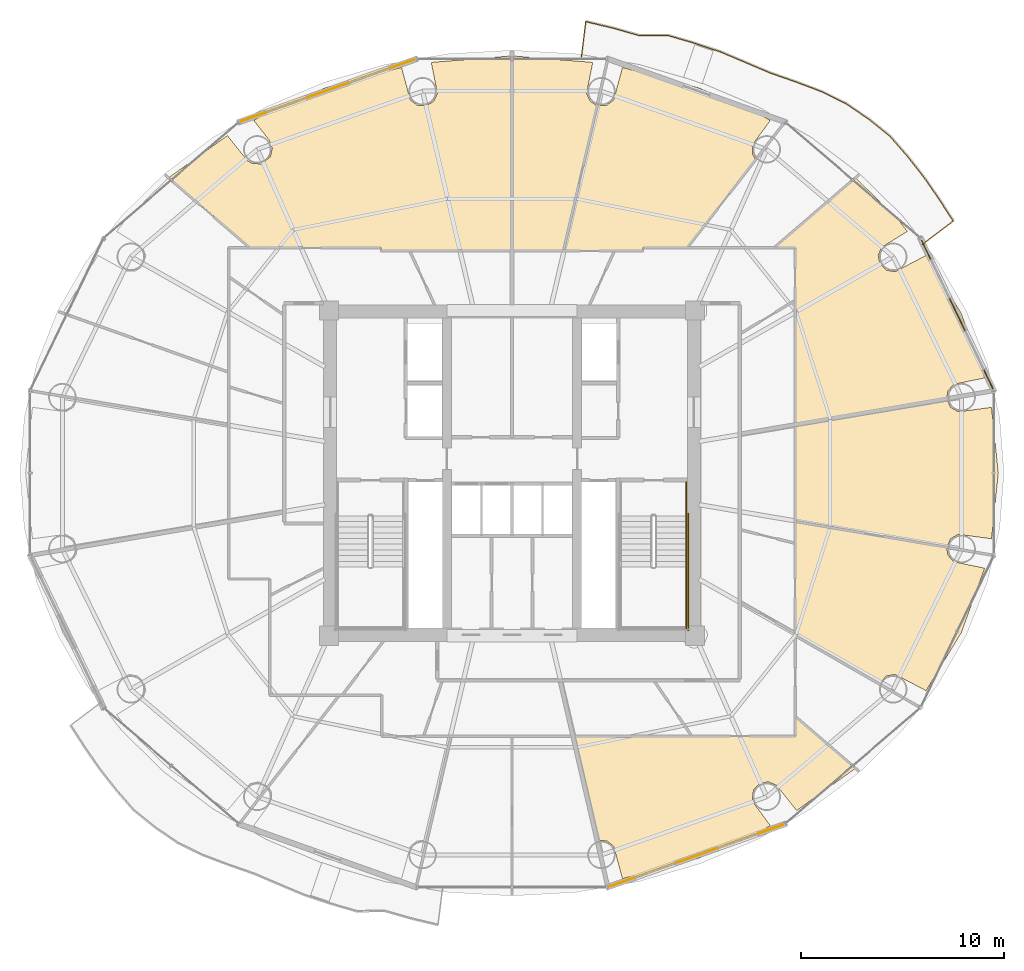
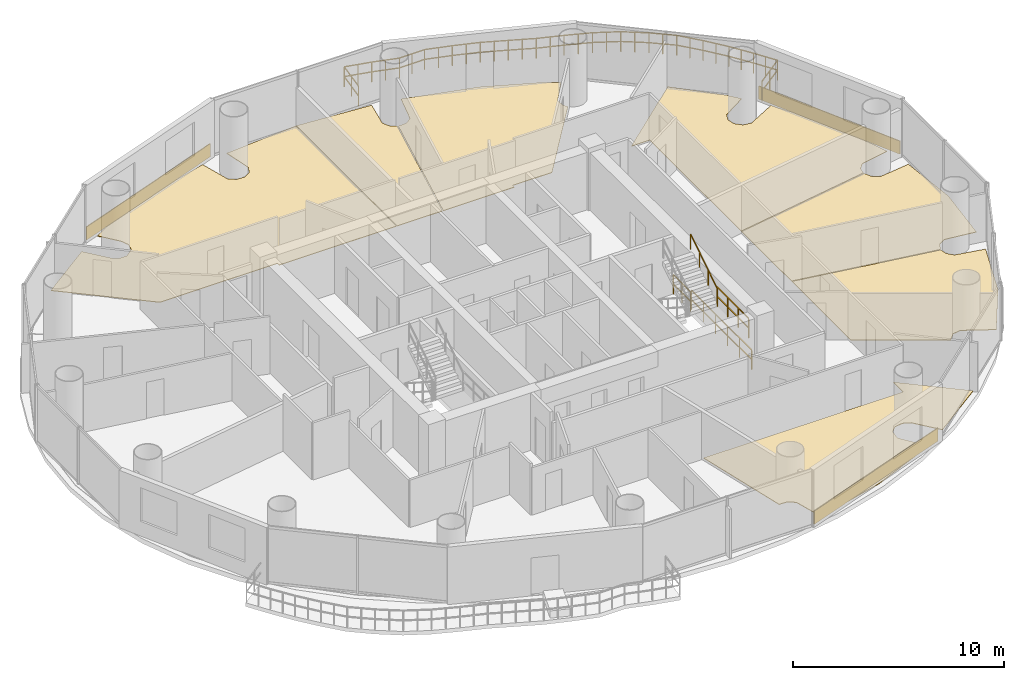
# One storey, part 26 of 26: 10 coverings, 5 railings.
"""IFC4 building model written with IfcOpenShell, lengths in metres."""

from ifc_helpers import new_model, si_unit, direction, frame, origin, origin_2d, place, context, subcontext, project, spatial, polyline, rectangle, outline, extrude, source, transform, mapped, material, layer, layer_set, type_object, element, save


model = new_model("IFC4")

# Units and contexts
model_context = context("Model", 3, precision=1e-05, world=origin(), true_north=direction((-0.2419218956, 0.970295726276)))
body_context = subcontext(model_context, "Body", "Model", "MODEL_VIEW")
ifc_project = project(units=[si_unit("LENGTHUNIT", "METRE"), si_unit("AREAUNIT", "SQUARE_METRE"), si_unit("VOLUMEUNIT", "CUBIC_METRE"), si_unit("PLANEANGLEUNIT", "RADIAN"), si_unit("MASSUNIT", "GRAM", prefix="KILO")], contexts=[model_context])

# Site, building, storey
site_placement = place(None, origin())
site = spatial("IfcSite", under=ifc_project, at=site_placement, CompositionType="ELEMENT")
building_placement = place(site_placement, origin())
building = spatial("IfcBuilding", under=site, at=building_placement, Name="Cobrevalo Terracotta Tower", CompositionType="ELEMENT")
storey_placement = place(building_placement, frame((0.0, 0.0, 135.39990234375)))
storey = spatial("IfcBuildingStorey", under=building, at=storey_placement, Name="L35", CompositionType="ELEMENT", Elevation=135.39990234375)

# Railing
ifc_material_1 = material(Name="Laminated structural glass and stainless steel", Category="steel")
railing_type_1 = type_object("IfcRailingType", Name="Balcony lobe structural glass & terracotta-cap balustrade 1180 mm", PredefinedType="BALUSTRADE", material=ifc_material_1)
railing_1_placement = place(storey_placement, frame((58.187255859375, 38.0458984375, 0.0)))
element("IfcRailing", 1, at=railing_1_placement, inside=storey, type_object=railing_type_1, Name="L35 spiralling balcony lobe balustrade 1", PredefinedType="BALUSTRADE", context=body_context, shape_type="SweptSolid", body=[
    extrude(rectangle(XDim=0.048095703125, YDim=0.048095703125, at=origin_2d()), frame((0.0, 0.0, 1.15576171875), z_axis=(0.798594650089, 0.601869242319, 0.0), x_axis=(-0.601869242319, 0.798594650089, 0.0)), (0.0, 0.0, 1.0), 1.89990234375),
    extrude(rectangle(XDim=0.048095703125, YDim=0.048095703125, at=origin_2d()), frame((0.0, 0.0, 0.58984375), z_axis=(0.798594650089, 0.601869242319, 0.0), x_axis=(-0.601869242319, 0.798594650089, 0.0)), (0.0, 0.0, 1.0), 1.89990234375),
    extrude(rectangle(XDim=0.048095703125, YDim=0.048095703125, at=origin_2d()), frame((1.517333984375, 1.1435546875, 1.15576171875), z_axis=(-0.541365481873, 0.840787378019, 0.0), x_axis=(-0.840787378019, -0.541365481873, 0.0)), (0.0, 0.0, 1.0), 1.278564453125),
    extrude(rectangle(XDim=0.048095703125, YDim=0.048095703125, at=origin_2d()), frame((1.517333984375, 1.1435546875, 0.58984375), z_axis=(-0.541365481873, 0.840787378019, 0.0), x_axis=(-0.840787378019, -0.541365481873, 0.0)), (0.0, 0.0, 1.0), 1.278564453125),
    extrude(rectangle(XDim=0.048095703125, YDim=0.048095703125, at=origin_2d()), frame((0.8251953125, 2.218505859375, 1.15576171875), z_axis=(-0.568524539643, 0.822666304053, 0.0), x_axis=(-0.822666304053, -0.568524539643, 0.0)), (0.0, 0.0, 1.0), 1.296875),
    extrude(rectangle(XDim=0.048095703125, YDim=0.048095703125, at=origin_2d()), frame((0.8251953125, 2.218505859375, 0.58984375), z_axis=(-0.568524539643, 0.822666304053, 0.0), x_axis=(-0.822666304053, -0.568524539643, 0.0)), (0.0, 0.0, 1.0), 1.296875),
    extrude(rectangle(XDim=0.048095703125, YDim=0.048095703125, at=origin_2d()), frame((0.087890625, 3.285400390625, 1.15576171875), z_axis=(-0.617117437076, 0.786871062409, 0.0), x_axis=(-0.786871062409, -0.617117437076, 0.0)), (0.0, 0.0, 1.0), 1.3173828125),
    extrude(rectangle(XDim=0.048095703125, YDim=0.048095703125, at=origin_2d()), frame((0.087890625, 3.285400390625, 0.58984375), z_axis=(-0.617117437076, 0.786871062409, 0.0), x_axis=(-0.786871062409, -0.617117437076, 0.0)), (0.0, 0.0, 1.0), 1.3173828125),
    extrude(rectangle(XDim=0.048095703125, YDim=0.048095703125, at=origin_2d()), frame((-0.72509765625, 4.322021484375, 1.15576171875), z_axis=(-0.655758581465, 0.754970650314, 0.0), x_axis=(-0.754970650314, -0.655758581465, 0.0)), (0.0, 0.0, 1.0), 1.323974609375),
    extrude(rectangle(XDim=0.048095703125, YDim=0.048095703125, at=origin_2d()), frame((-0.72509765625, 4.322021484375, 0.58984375), z_axis=(-0.655758581465, 0.754970650314, 0.0), x_axis=(-0.754970650314, -0.655758581465, 0.0)), (0.0, 0.0, 1.0), 1.323974609375),
    extrude(rectangle(XDim=0.048095703125, YDim=0.048095703125, at=origin_2d()), frame((-1.59326171875, 5.321533203125, 1.15576171875), z_axis=(-0.779372178767, 0.626561255556, 0.0), x_axis=(-0.626561255556, -0.779372178767, 0.0)), (0.0, 0.0, 1.0), 1.3388671875),
    extrude(rectangle(XDim=0.048095703125, YDim=0.048095703125, at=origin_2d()), frame((-1.59326171875, 5.321533203125, 0.58984375), z_axis=(-0.779372178767, 0.626561255556, 0.0), x_axis=(-0.626561255556, -0.779372178767, 0.0)), (0.0, 0.0, 1.0), 1.3388671875),
    extrude(rectangle(XDim=0.048095703125, YDim=0.048095703125, at=origin_2d()), frame((-2.63671875, 6.160400390625, 1.15576171875), z_axis=(-0.825620548878, 0.564225760907, 0.0), x_axis=(-0.564225760907, -0.825620548878, 0.0)), (0.0, 0.0, 1.0), 1.33740234375),
    extrude(rectangle(XDim=0.048095703125, YDim=0.048095703125, at=origin_2d()), frame((-2.63671875, 6.160400390625, 0.58984375), z_axis=(-0.825620548878, 0.564225760907, 0.0), x_axis=(-0.564225760907, -0.825620548878, 0.0)), (0.0, 0.0, 1.0), 1.33740234375),
    extrude(rectangle(XDim=0.048095703125, YDim=0.048095703125, at=origin_2d()), frame((-3.740966796875, 6.9150390625, 1.15576171875), z_axis=(-0.896585828938, 0.44287001631, 0.0), x_axis=(-0.44287001631, -0.896585828938, 0.0)), (0.0, 0.0, 1.0), 1.3505859375),
    extrude(rectangle(XDim=0.048095703125, YDim=0.048095703125, at=origin_2d()), frame((-3.740966796875, 6.9150390625, 0.58984375), z_axis=(-0.896585828938, 0.44287001631, 0.0), x_axis=(-0.44287001631, -0.896585828938, 0.0)), (0.0, 0.0, 1.0), 1.3505859375),
    extrude(rectangle(XDim=0.048095703125, YDim=0.048095703125, at=origin_2d()), frame((-4.951904296875, 7.51318359375, 1.15576171875), z_axis=(-0.935284651234, 0.353896342404, 0.0), x_axis=(-0.353896342404, -0.935284651234, 0.0)), (0.0, 0.0, 1.0), 1.359619140625),
    extrude(rectangle(XDim=0.048095703125, YDim=0.048095703125, at=origin_2d()), frame((-4.951904296875, 7.51318359375, 0.58984375), z_axis=(-0.935284651234, 0.353896342404, 0.0), x_axis=(-0.353896342404, -0.935284651234, 0.0)), (0.0, 0.0, 1.0), 1.359619140625),
    extrude(rectangle(XDim=0.048095703125, YDim=0.048095703125, at=origin_2d()), frame((-6.2236328125, 7.994384765625, 1.15576171875), z_axis=(-0.944347221027, 0.328950339927, 0.0), x_axis=(-0.328950339927, -0.944347221027, 0.0)), (0.0, 0.0, 1.0), 1.343994140625),
    extrude(rectangle(XDim=0.048095703125, YDim=0.048095703125, at=origin_2d()), frame((-6.2236328125, 7.994384765625, 0.58984375), z_axis=(-0.944347221027, 0.328950339927, 0.0), x_axis=(-0.328950339927, -0.944347221027, 0.0)), (0.0, 0.0, 1.0), 1.343994140625),
    extrude(rectangle(XDim=0.048095703125, YDim=0.048095703125, at=origin_2d()), frame((-7.492919921875, 8.4365234375, 1.15576171875), z_axis=(-0.920149056217, 0.391568275456, 0.0), x_axis=(-0.391568275456, -0.920149056217, 0.0)), (0.0, 0.0, 1.0), 1.341796875),
    extrude(rectangle(XDim=0.048095703125, YDim=0.048095703125, at=origin_2d()), frame((-7.492919921875, 8.4365234375, 0.58984375), z_axis=(-0.920149056217, 0.391568275456, 0.0), x_axis=(-0.391568275456, -0.920149056217, 0.0)), (0.0, 0.0, 1.0), 1.341796875),
    extrude(rectangle(XDim=0.048095703125, YDim=0.048095703125, at=origin_2d()), frame((-8.7275390625, 8.9619140625, 1.15576171875), z_axis=(-0.921408990229, 0.388594226314, 0.0), x_axis=(-0.388594226314, -0.921408990229, 0.0)), (0.0, 0.0, 1.0), 1.3408203125),
    extrude(rectangle(XDim=0.048095703125, YDim=0.048095703125, at=origin_2d()), frame((-8.7275390625, 8.9619140625, 0.58984375), z_axis=(-0.921408990229, 0.388594226314, 0.0), x_axis=(-0.388594226314, -0.921408990229, 0.0)), (0.0, 0.0, 1.0), 1.3408203125),
    extrude(rectangle(XDim=0.048095703125, YDim=0.048095703125, at=origin_2d()), frame((-9.962890625, 9.48291015625, 1.15576171875), z_axis=(-0.949296870619, 0.31438106087, 0.0), x_axis=(-0.31438106087, -0.949296870619, 0.0)), (0.0, 0.0, 1.0), 1.348876953125),
    extrude(rectangle(XDim=0.048095703125, YDim=0.048095703125, at=origin_2d()), frame((-9.962890625, 9.48291015625, 0.58984375), z_axis=(-0.949296870619, 0.31438106087, 0.0), x_axis=(-0.31438106087, -0.949296870619, 0.0)), (0.0, 0.0, 1.0), 1.348876953125),
    extrude(rectangle(XDim=0.048095703125, YDim=0.048095703125, at=origin_2d()), frame((-11.243408203125, 9.906982421875, 1.15576171875), z_axis=(-0.960034306764, 0.279882349991, 0.0), x_axis=(-0.279882349991, -0.960034306764, 0.0)), (0.0, 0.0, 1.0), 1.354736328125),
    extrude(rectangle(XDim=0.048095703125, YDim=0.048095703125, at=origin_2d()), frame((-11.243408203125, 9.906982421875, 0.58984375), z_axis=(-0.960034306764, 0.279882349991, 0.0), x_axis=(-0.279882349991, -0.960034306764, 0.0)), (0.0, 0.0, 1.0), 1.354736328125),
    extrude(rectangle(XDim=0.048095703125, YDim=0.048095703125, at=origin_2d()), frame((-12.5439453125, 10.2861328125, 1.15576171875), z_axis=(-0.999961366356, -0.008790096399, 0.0), x_axis=(0.008790096399, -0.999961366356, 0.0)), (0.0, 0.0, 1.0), 1.388671875),
    extrude(rectangle(XDim=0.048095703125, YDim=0.048095703125, at=origin_2d()), frame((-12.5439453125, 10.2861328125, 0.58984375), z_axis=(-0.999961366356, -0.008790096399, 0.0), x_axis=(0.008790096399, -0.999961366356, 0.0)), (0.0, 0.0, 1.0), 1.388671875),
    extrude(rectangle(XDim=0.048095703125, YDim=0.048095703125, at=origin_2d()), frame((-13.9326171875, 10.27392578125, 1.15576171875), z_axis=(-0.961652958864, 0.274269186582, 0.0), x_axis=(-0.274269186582, -0.961652958864, 0.0)), (0.0, 0.0, 1.0), 1.355712890625),
    extrude(rectangle(XDim=0.048095703125, YDim=0.048095703125, at=origin_2d()), frame((-13.9326171875, 10.27392578125, 0.58984375), z_axis=(-0.961652958864, 0.274269186582, 0.0), x_axis=(-0.274269186582, -0.961652958864, 0.0)), (0.0, 0.0, 1.0), 1.355712890625),
    extrude(rectangle(XDim=0.048095703125, YDim=0.048095703125, at=origin_2d()), frame((-15.236328125, 10.645751953125, 1.15576171875), z_axis=(-0.973015656678, 0.230739099113, 0.0), x_axis=(-0.230739099113, -0.973015656678, 0.0)), (0.0, 0.0, 1.0), 1.360595703125),
    extrude(rectangle(XDim=0.048095703125, YDim=0.048095703125, at=origin_2d()), frame((-15.236328125, 10.645751953125, 0.58984375), z_axis=(-0.973015656678, 0.230739099113, 0.0), x_axis=(-0.230739099113, -0.973015656678, 0.0)), (0.0, 0.0, 1.0), 1.360595703125),
    extrude(rectangle(XDim=0.048095703125, YDim=0.048095703125, at=origin_2d()), frame((-16.560302734375, 10.959716796875, 1.15576171875), z_axis=(-0.122368851254, -0.992484692196, 0.0), x_axis=(0.992484692196, -0.122368851254, 0.0)), (0.0, 0.0, 1.0), 1.731689453125),
    extrude(rectangle(XDim=0.048095703125, YDim=0.048095703125, at=origin_2d()), frame((-16.560302734375, 10.959716796875, 0.58984375), z_axis=(-0.122368851254, -0.992484692196, 0.0), x_axis=(0.992484692196, -0.122368851254, 0.0)), (0.0, 0.0, 1.0), 1.731689453125),
    extrude(rectangle(XDim=0.0419921875, YDim=0.0419921875, at=origin_2d()), origin(), (0.0, 0.0, 1.0), 1.1318359375),
    extrude(rectangle(XDim=0.0419921875, YDim=0.0419921875, at=origin_2d()), frame((0.7587890625, 0.57177734375, 0.0)), (0.0, 0.0, 1.0), 1.1318359375),
    extrude(rectangle(XDim=0.0419921875, YDim=0.0419921875, at=origin_2d()), frame((1.517333984375, 1.1435546875, 0.0)), (0.0, 0.0, 1.0), 1.1318359375),
    extrude(rectangle(XDim=0.0419921875, YDim=0.0419921875, at=origin_2d()), frame((1.17138671875, 1.68115234375, 0.0)), (0.0, 0.0, 1.0), 1.1318359375),
    extrude(rectangle(XDim=0.0419921875, YDim=0.0419921875, at=origin_2d()), frame((0.8251953125, 2.218505859375, 0.0)), (0.0, 0.0, 1.0), 1.1318359375),
    extrude(rectangle(XDim=0.0419921875, YDim=0.0419921875, at=origin_2d()), frame((0.45654296875, 2.751953125, 0.0)), (0.0, 0.0, 1.0), 1.1318359375),
    extrude(rectangle(XDim=0.0419921875, YDim=0.0419921875, at=origin_2d()), frame((0.087890625, 3.285400390625, 0.0)), (0.0, 0.0, 1.0), 1.1318359375),
    extrude(rectangle(XDim=0.0419921875, YDim=0.0419921875, at=origin_2d()), frame((-0.318603515625, 3.8037109375, 0.0)), (0.0, 0.0, 1.0), 1.1318359375),
    extrude(rectangle(XDim=0.0419921875, YDim=0.0419921875, at=origin_2d()), frame((-0.72509765625, 4.322021484375, 0.0)), (0.0, 0.0, 1.0), 1.1318359375),
    extrude(rectangle(XDim=0.0419921875, YDim=0.0419921875, at=origin_2d()), frame((-1.1591796875, 4.82177734375, 0.0)), (0.0, 0.0, 1.0), 1.1318359375),
    extrude(rectangle(XDim=0.0419921875, YDim=0.0419921875, at=origin_2d()), frame((-1.59326171875, 5.321533203125, 0.0)), (0.0, 0.0, 1.0), 1.1318359375),
    extrude(rectangle(XDim=0.0419921875, YDim=0.0419921875, at=origin_2d()), frame((-2.114990234375, 5.740966796875, 0.0)), (0.0, 0.0, 1.0), 1.1318359375),
    extrude(rectangle(XDim=0.0419921875, YDim=0.0419921875, at=origin_2d()), frame((-2.63671875, 6.160400390625, 0.0)), (0.0, 0.0, 1.0), 1.1318359375),
    extrude(rectangle(XDim=0.0419921875, YDim=0.0419921875, at=origin_2d()), frame((-3.18896484375, 6.53759765625, 0.0)), (0.0, 0.0, 1.0), 1.1318359375),
    extrude(rectangle(XDim=0.0419921875, YDim=0.0419921875, at=origin_2d()), frame((-3.740966796875, 6.9150390625, 0.0)), (0.0, 0.0, 1.0), 1.1318359375),
    extrude(rectangle(XDim=0.0419921875, YDim=0.0419921875, at=origin_2d()), frame((-4.346435546875, 7.214111328125, 0.0)), (0.0, 0.0, 1.0), 1.1318359375),
    extrude(rectangle(XDim=0.0419921875, YDim=0.0419921875, at=origin_2d()), frame((-4.951904296875, 7.51318359375, 0.0)), (0.0, 0.0, 1.0), 1.1318359375),
    extrude(rectangle(XDim=0.0419921875, YDim=0.0419921875, at=origin_2d()), frame((-5.587890625, 7.75390625, 0.0)), (0.0, 0.0, 1.0), 1.1318359375),
    extrude(rectangle(XDim=0.0419921875, YDim=0.0419921875, at=origin_2d()), frame((-6.2236328125, 7.994384765625, 0.0)), (0.0, 0.0, 1.0), 1.1318359375),
    extrude(rectangle(XDim=0.0419921875, YDim=0.0419921875, at=origin_2d()), frame((-6.8583984375, 8.21533203125, 0.0)), (0.0, 0.0, 1.0), 1.1318359375),
    extrude(rectangle(XDim=0.0419921875, YDim=0.0419921875, at=origin_2d()), frame((-7.492919921875, 8.4365234375, 0.0)), (0.0, 0.0, 1.0), 1.1318359375),
    extrude(rectangle(XDim=0.0419921875, YDim=0.0419921875, at=origin_2d()), frame((-8.1103515625, 8.69921875, 0.0)), (0.0, 0.0, 1.0), 1.1318359375),
    extrude(rectangle(XDim=0.0419921875, YDim=0.0419921875, at=origin_2d()), frame((-8.7275390625, 8.9619140625, 0.0)), (0.0, 0.0, 1.0), 1.1318359375),
    extrude(rectangle(XDim=0.0419921875, YDim=0.0419921875, at=origin_2d()), frame((-9.34521484375, 9.222412109375, 0.0)), (0.0, 0.0, 1.0), 1.1318359375),
    extrude(rectangle(XDim=0.0419921875, YDim=0.0419921875, at=origin_2d()), frame((-9.962890625, 9.48291015625, 0.0)), (0.0, 0.0, 1.0), 1.1318359375),
    extrude(rectangle(XDim=0.0419921875, YDim=0.0419921875, at=origin_2d()), frame((-10.60302734375, 9.69482421875, 0.0)), (0.0, 0.0, 1.0), 1.1318359375),
    extrude(rectangle(XDim=0.0419921875, YDim=0.0419921875, at=origin_2d()), frame((-11.243408203125, 9.906982421875, 0.0)), (0.0, 0.0, 1.0), 1.1318359375),
    extrude(rectangle(XDim=0.0419921875, YDim=0.0419921875, at=origin_2d()), frame((-11.8935546875, 10.0966796875, 0.0)), (0.0, 0.0, 1.0), 1.1318359375),
    extrude(rectangle(XDim=0.0419921875, YDim=0.0419921875, at=origin_2d()), frame((-12.5439453125, 10.2861328125, 0.0)), (0.0, 0.0, 1.0), 1.1318359375),
    extrude(rectangle(XDim=0.0419921875, YDim=0.0419921875, at=origin_2d()), frame((-13.23828125, 10.280029296875, 0.0)), (0.0, 0.0, 1.0), 1.1318359375),
    extrude(rectangle(XDim=0.0419921875, YDim=0.0419921875, at=origin_2d()), frame((-13.9326171875, 10.27392578125, 0.0)), (0.0, 0.0, 1.0), 1.1318359375),
    extrude(rectangle(XDim=0.0419921875, YDim=0.0419921875, at=origin_2d()), frame((-14.58447265625, 10.4599609375, 0.0)), (0.0, 0.0, 1.0), 1.1318359375),
    extrude(rectangle(XDim=0.0419921875, YDim=0.0419921875, at=origin_2d()), frame((-15.236328125, 10.645751953125, 0.0)), (0.0, 0.0, 1.0), 1.1318359375),
    extrude(rectangle(XDim=0.0419921875, YDim=0.0419921875, at=origin_2d()), frame((-15.8984375, 10.802734375, 0.0)), (0.0, 0.0, 1.0), 1.1318359375),
    extrude(rectangle(XDim=0.0419921875, YDim=0.0419921875, at=origin_2d()), frame((-16.560302734375, 10.959716796875, 0.0)), (0.0, 0.0, 1.0), 1.1318359375),
    extrude(rectangle(XDim=0.0419921875, YDim=0.0419921875, at=origin_2d()), frame((-16.666259765625, 10.100341796875, 0.0)), (0.0, 0.0, 1.0), 1.1318359375),
    extrude(rectangle(XDim=0.0419921875, YDim=0.0419921875, at=origin_2d()), frame((-16.772216796875, 9.240966796875, 0.0)), (0.0, 0.0, 1.0), 1.1318359375),
])

# Coverings
ifc_material_2 = material(Name="Engineered Brazilian hardwood flooring", Category="wood")
ifc_layer_1 = layer(ifc_material_2, 0.028076171875)
ifc_layer_set_1 = layer_set([ifc_layer_1], Name="Engineered Brazilian hardwood flooring")
covering_type_1 = type_object("IfcCoveringType", Name="Engineered Hardwood Suite Flooring 28", PredefinedType="FLOORING", material=ifc_layer_set_1)
covering_1_placement = place(storey_placement, origin())
element("IfcCovering", 2, at=covering_1_placement, inside=storey, type_object=covering_type_1, Name="Flat L35A Living and Dining Room floor finish", PredefinedType="FLOORING", context=body_context, shape_type="SweptSolid", body=[
    extrude(outline(polyline([(56.97802734375, 39.29052734375), (57.448486328125, 38.6865234375), (56.165771484375, 37.89404296875), (56.011474609375, 37.4931640625), (56.10595703125, 37.073974609375), (56.417236328125, 36.77783203125), (56.8408203125, 36.70458984375), (58.367431640625, 37.50634765625), (60.099609375, 34.651611328125), (61.251708984375, 31.478271484375), (59.7236328125, 31.1630859375), (59.44140625, 30.8388671875), (59.382568359375, 30.47607421875), (51.955078125, 29.2060546875), (51.955078125, 37.905029296875), (50.950927734375, 37.905029296875), (54.9111328125, 41.308837890625), (56.97802734375, 39.29052734375)])), origin(), (0.0, 0.0, 1.0), 0.030029296875),
])
covering_2_placement = place(storey_placement, origin())
element("IfcCovering", 3, at=covering_2_placement, inside=storey, type_object=covering_type_1, Name="Flat L35A Penthouse Family Lounge floor finish", PredefinedType="FLOORING", context=body_context, shape_type="SweptSolid", body=[
    extrude(outline(polyline([(49.961181640625, 44.5703125), (50.704833984375, 44.143798828125), (49.815673828125, 42.9228515625), (49.824462890625, 42.4931640625), (49.97509765625, 42.236572265625), (46.607666015625, 37.905029296875), (44.445068359375, 37.905029296875), (44.445068359375, 37.7451171875), (40.553466796875, 37.7451171875), (42.203369140625, 44.873779296875), (42.6591796875, 44.88916015625), (43.00048828125, 45.150390625), (43.432861328125, 46.75), (47.15478515625, 45.757568359375), (49.961181640625, 44.5703125)])), origin(), (0.0, 0.0, 1.0), 0.030029296875),
])
covering_3_placement = place(storey_placement, origin())
element("IfcCovering", 4, at=covering_3_placement, inside=storey, type_object=covering_type_1, Name="Flat L35A Principal Guest Bedroom floor finish", PredefinedType="FLOORING", context=body_context, shape_type="SweptSolid", body=[
    extrude(outline(polyline([(38.02001953125, 47.31884765625), (41.97119140625, 46.99951171875), (41.6689453125, 45.462158203125), (41.858642578125, 45.07666015625), (42.16455078125, 44.8837890625), (40.512451171875, 37.7451171875), (38.02001953125, 37.7451171875), (38.02001953125, 47.31884765625)])), origin(), (0.0, 0.0, 1.0), 0.030029296875),
])
covering_4_placement = place(storey_placement, origin())
element("IfcCovering", 5, at=covering_4_placement, inside=storey, type_object=covering_type_1, Name="Flat L35B Penthouse Living and Dining Room floor finish", PredefinedType="FLOORING", context=body_context, shape_type="SweptSolid", body=[
    extrude(outline(polyline([(23.99755859375, 43.39990234375), (24.99072265625, 42.160400390625), (25.242431640625, 42.01904296875), (25.672119140625, 42.01025390625), (26.1171875, 42.3603515625), (26.209716796875, 42.780029296875), (26.053955078125, 43.179443359375), (25.295166015625, 44.143798828125), (26.038818359375, 44.5703125), (28.84521484375, 45.757568359375), (32.567138671875, 46.75), (32.99951171875, 45.150390625), (33.3408203125, 44.88916015625), (33.76953125, 44.861328125), (34.141357421875, 45.07666015625), (34.3310546875, 45.462158203125), (34.02880859375, 46.99951171875), (37.97998046875, 47.31884765625), (37.97998046875, 37.7451171875), (31.554931640625, 37.7451171875), (31.554931640625, 37.905029296875), (25.1103515625, 37.905029296875), (21.119873046875, 41.3349609375), (23.99755859375, 43.39990234375)])), origin(), (0.0, 0.0, 1.0), 0.030029296875),
])
covering_5_placement = place(storey_placement, origin())
element("IfcCovering", 6, at=covering_5_placement, inside=storey, type_object=covering_type_1, Name="Flat L35D Living and Dining Room floor finish", PredefinedType="FLOORING", context=body_context, shape_type="SweptSolid", body=[
    extrude(outline(polyline([(52.00244140625, 10.2001953125), (51.00927734375, 11.439697265625), (50.61572265625, 11.6123046875), (50.192626953125, 11.537109375), (49.8828125, 11.239501953125), (49.815673828125, 10.67724609375), (50.704833984375, 9.4560546875), (49.961181640625, 9.02978515625), (47.15478515625, 7.84228515625), (43.432861328125, 6.849853515625), (43.00048828125, 8.44970703125), (42.6591796875, 8.7109375), (42.203369140625, 8.72607421875), (41.0185546875, 13.844970703125), (51.955078125, 13.844970703125), (51.955078125, 14.779296875), (54.880126953125, 12.264892578125), (52.00244140625, 10.2001953125)])), origin(), (0.0, 0.0, 1.0), 0.030029296875),
])
covering_6_placement = place(storey_placement, origin())
element("IfcCovering", 7, at=covering_6_placement, inside=storey, type_object=covering_type_1, Name="Flat L35D Principal Guest Bedroom floor finish", PredefinedType="FLOORING", context=body_context, shape_type="SweptSolid", body=[
    extrude(outline(polyline([(58.367431640625, 16.09375), (56.8408203125, 16.895263671875), (56.417236328125, 16.822021484375), (56.070068359375, 16.4453125), (51.955078125, 18.80859375), (51.955078125, 24.393798828125), (59.382568359375, 23.1240234375), (59.44140625, 22.760986328125), (59.7236328125, 22.43701171875), (61.251708984375, 22.121826171875), (60.099609375, 18.948486328125), (58.367431640625, 16.09375)])), origin(), (0.0, 0.0, 1.0), 0.030029296875),
])
covering_7_placement = place(storey_placement, origin())
element("IfcCovering", 8, at=covering_7_placement, inside=storey, type_object=covering_type_1, Name="Flat L35D Penthouse Family Lounge floor finish", PredefinedType="FLOORING", context=body_context, shape_type="SweptSolid", body=[
    extrude(outline(polyline([(59.388427734375, 30.436279296875), (59.578369140625, 30.028076171875), (59.951416015625, 29.814697265625), (61.58642578125, 30.03369140625), (61.919921875, 26.800048828125), (61.58642578125, 23.566162109375), (59.951416015625, 23.785400390625), (59.578369140625, 23.572021484375), (59.388427734375, 23.16357421875), (51.955078125, 24.4345703125), (51.955078125, 29.16552734375), (59.388427734375, 30.436279296875)])), origin(), (0.0, 0.0, 1.0), 0.030029296875),
])

# Railings
ifc_material_3 = material(Name="Brushed stainless steel", Category="steel")
railing_type_2 = type_object("IfcRailingType", Name="Stainless Steel Stair Handrail 900", PredefinedType="HANDRAIL", material=ifc_material_3)
railing_2_placement = place(storey_placement, frame((46.574951171875, 22.179931640625, 1.97998046875)))
element("IfcRailing", 9, at=railing_2_placement, inside=storey, type_object=railing_type_2, Name="L35 ST-2 stair handrail 2", PredefinedType="HANDRAIL", context=body_context, shape_type="SweptSolid", body=[
    extrude(rectangle(XDim=0.048095703125, YDim=0.048095703125, at=origin_2d()), frame((0.0, 0.0, 0.8759765625), z_axis=(0.0, 0.841162588446, 0.540782303519), x_axis=(-1.0, 0.0, 0.0)), (0.0, 0.0, 1.0), 2.995849609375),
    extrude(rectangle(XDim=0.0419921875, YDim=0.0419921875, at=origin_2d()), origin(), (0.0, 0.0, 1.0), 0.851806640625),
    extrude(rectangle(XDim=0.0419921875, YDim=0.0419921875, at=origin_2d()), frame((0.0, 0.840087890625, 0.5400390625)), (0.0, 0.0, 1.0), 0.851806640625),
    extrude(rectangle(XDim=0.0419921875, YDim=0.0419921875, at=origin_2d()), frame((0.0, 1.679931640625, 1.080078125)), (0.0, 0.0, 1.0), 0.851806640625),
    extrude(rectangle(XDim=0.0419921875, YDim=0.0419921875, at=origin_2d()), frame((0.0, 2.52001953125, 1.6201171875)), (0.0, 0.0, 1.0), 0.851806640625),
])
ifc_material_4 = material(Name="Painted galvanized steel", Category="steel")
railing_type_3 = type_object("IfcRailingType", Name="Stair Well Guard Balustrade 1150", PredefinedType="GUARDRAIL", material=ifc_material_4)
railing_3_placement = place(storey_placement, frame((46.574951171875, 22.179931640625, 1.800048828125)))
element("IfcRailing", 10, at=railing_3_placement, inside=storey, type_object=railing_type_3, Name="L35 ST-2 stair guard 4", PredefinedType="GUARDRAIL", context=body_context, shape_type="SweptSolid", body=[
    extrude(rectangle(XDim=0.048095703125, YDim=0.048095703125, at=origin_2d()), frame((0.0, 0.0, 1.1259765625), z_axis=(0.0, -1.0, 0.0), x_axis=(1.0, 0.0, 0.0)), (0.0, 0.0, 1.0), 3.0048828125),
    extrude(rectangle(XDim=0.048095703125, YDim=0.048095703125, at=origin_2d()), frame((0.0, 0.0, 0.574951171875), z_axis=(0.0, -1.0, 0.0), x_axis=(1.0, 0.0, 0.0)), (0.0, 0.0, 1.0), 3.0048828125),
    extrude(rectangle(XDim=0.0419921875, YDim=0.0419921875, at=origin_2d()), origin(), (0.0, 0.0, 1.0), 1.101806640625),
    extrude(rectangle(XDim=0.0419921875, YDim=0.0419921875, at=origin_2d()), frame((0.0, -1.001708984375, 0.0)), (0.0, 0.0, 1.0), 1.101806640625),
    extrude(rectangle(XDim=0.0419921875, YDim=0.0419921875, at=origin_2d()), frame((0.0, -2.003173828125, 0.0)), (0.0, 0.0, 1.0), 1.101806640625),
    extrude(rectangle(XDim=0.0419921875, YDim=0.0419921875, at=origin_2d()), frame((0.0, -3.0048828125, 0.0)), (0.0, 0.0, 1.0), 1.101806640625),
])
railing_4_placement = place(storey_placement, frame((46.574951171875, 26.35009765625, 0.0)))
element("IfcRailing", 11, at=railing_4_placement, inside=storey, type_object=railing_type_3, Name="L35 ST-2 stair guard 9", PredefinedType="GUARDRAIL", context=body_context, shape_type="SweptSolid", body=[
    extrude(rectangle(XDim=0.048095703125, YDim=0.048095703125, at=origin_2d()), frame((0.0, 0.0, 1.1259765625), z_axis=(0.0, -1.0, 0.0), x_axis=(1.0, 0.0, 0.0)), (0.0, 0.0, 1.0), 1.650146484375),
    extrude(rectangle(XDim=0.048095703125, YDim=0.048095703125, at=origin_2d()), frame((0.0, 0.0, 0.574951171875), z_axis=(0.0, -1.0, 0.0), x_axis=(1.0, 0.0, 0.0)), (0.0, 0.0, 1.0), 1.650146484375),
    extrude(rectangle(XDim=0.0419921875, YDim=0.0419921875, at=origin_2d()), origin(), (0.0, 0.0, 1.0), 1.101806640625),
    extrude(rectangle(XDim=0.0419921875, YDim=0.0419921875, at=origin_2d()), frame((0.0, -0.8251953125, 0.0)), (0.0, 0.0, 1.0), 1.101806640625),
    extrude(rectangle(XDim=0.0419921875, YDim=0.0419921875, at=origin_2d()), frame((0.0, -1.650146484375, 0.0)), (0.0, 0.0, 1.0), 1.101806640625),
])
railing_5_placement = place(storey_placement, frame((46.675048828125, 24.800048828125, 0.0)))
element("IfcRailing", 12, at=railing_5_placement, inside=storey, type_object=railing_type_3, Name="L35 ST-2 stair guard 11", PredefinedType="GUARDRAIL", context=body_context, shape_type="SweptSolid", body=[
    extrude(rectangle(XDim=0.048095703125, YDim=0.048095703125, at=origin_2d()), frame((0.0, 0.0, 1.1259765625), z_axis=(0.0, -1.0, 0.0), x_axis=(1.0, 0.0, 0.0)), (0.0, 0.0, 1.0), 5.72509765625),
    extrude(rectangle(XDim=0.048095703125, YDim=0.048095703125, at=origin_2d()), frame((0.0, 0.0, 0.574951171875), z_axis=(0.0, -1.0, 0.0), x_axis=(1.0, 0.0, 0.0)), (0.0, 0.0, 1.0), 5.72509765625),
    extrude(rectangle(XDim=0.0419921875, YDim=0.0419921875, at=origin_2d()), origin(), (0.0, 0.0, 1.0), 1.101806640625),
    extrude(rectangle(XDim=0.0419921875, YDim=0.0419921875, at=origin_2d()), frame((0.0, -1.14501953125, 0.0)), (0.0, 0.0, 1.0), 1.101806640625),
    extrude(rectangle(XDim=0.0419921875, YDim=0.0419921875, at=origin_2d()), frame((0.0, -2.2900390625, 0.0)), (0.0, 0.0, 1.0), 1.101806640625),
    extrude(rectangle(XDim=0.0419921875, YDim=0.0419921875, at=origin_2d()), frame((0.0, -3.43505859375, 0.0)), (0.0, 0.0, 1.0), 1.101806640625),
    extrude(rectangle(XDim=0.0419921875, YDim=0.0419921875, at=origin_2d()), frame((0.0, -4.580078125, 0.0)), (0.0, 0.0, 1.0), 1.101806640625),
    extrude(rectangle(XDim=0.0419921875, YDim=0.0419921875, at=origin_2d()), frame((0.0, -5.72509765625, 0.0)), (0.0, 0.0, 1.0), 1.101806640625),
])

# Coverings
ifc_material_5 = material(Name="Glazed terracotta facade cladding tile", Category="masonry")
ifc_layer_2 = layer(ifc_material_5, 0.044921875)
ifc_layer_set_2 = layer_set([ifc_layer_2], Name="Glazed terracotta facade cladding tile")
covering_type_2 = type_object("IfcCoveringType", Name="Architectural terracotta rainscreen spandrel cladding 45 mm", PredefinedType="CLADDING", material=ifc_layer_set_2)
shared_shape_1 = source(origin(), body_context, "Body", "SweptSolid", [
    extrude(rectangle(XDim=8.111572265625, YDim=0.044921875, at=origin_2d()), origin(), (0.0, 0.0, 1.0), 0.760009765625),
])
covering_8_placement = place(storey_placement, frame((59.901123046875, 34.595703125, 0.0400390625), z_axis=(0.0, 0.0, 1.0), x_axis=(-0.434209440271, 0.900811945957, 0.0)))
element("IfcCovering", 13, at=covering_8_placement, inside=storey, type_object=covering_type_2, Name="L35 terracotta spandrel cladding S01", PredefinedType="CLADDING", context=body_context, shape_type="MappedRepresentation", body=[
    mapped(shared_shape_1, transform((0.0, 0.0, 0.0), scale=1.0)),
])
shared_shape_2 = source(origin(), body_context, "Body", "SweptSolid", [
    extrude(rectangle(XDim=9.04833984375, YDim=0.044921875, at=origin_2d()), origin(), (0.0, 0.0, 1.0), 0.760009765625),
])
for number, where, z_axis, x_axis, name in (
    (14, (28.92822265625, 45.620361328125, 0.0400390625), (0.0, 0.0, 1.0), (-0.942098428897, -0.335336473217, 0.0), "L35 terracotta spandrel cladding S05"),
    (15, (47.07177734375, 7.979736328125, 0.0400390625), (0.0, 0.0, 1.0), (0.942098428897, 0.335336473217, 0.0), "L35 terracotta spandrel cladding S13"),
):
    element("IfcCovering", number, at=place(storey_placement, frame(where, z_axis=z_axis, x_axis=x_axis)), inside=storey, type_object=covering_type_2, Name=name, PredefinedType="CLADDING", context=body_context, shape_type="MappedRepresentation", body=[
        mapped(shared_shape_2, transform((0.0, 0.0, 0.0), scale=1.0)),
    ])

save(model, "model.ifc")
